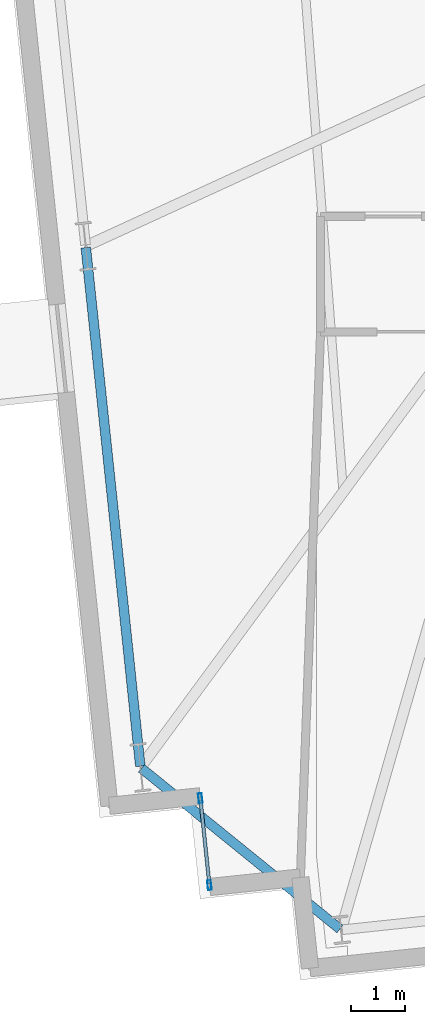
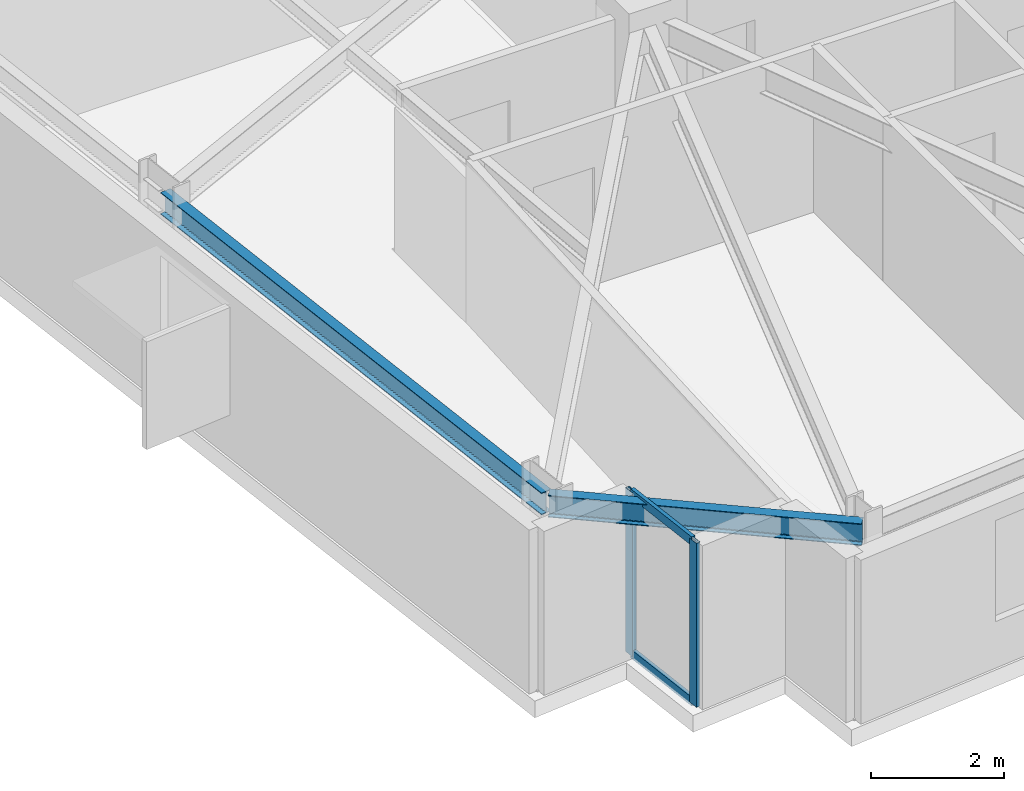
# One storey, part 4 of 19: 4 members, 2 beams, 1 element without a shape of its own.
"""IFC4 building model written with IfcOpenShell, lengths in metres."""

from ifc_helpers import new_model, si_unit, direction, frame, origin, origin_2d, place, context, subcontext, project, spatial, hollow_rectangle, i_section, extrude, material, layer, layer_set, material_profile, profile_set, type_object, element, aggregate, save


model = new_model("IFC4")

# Units and contexts
model_context = context("Model", 3, precision=1e-05, world=origin(), true_north=direction((0.0, 1.0)))
body_context = subcontext(model_context, "Body", "Model", "MODEL_VIEW")
ifc_project = project(units=[si_unit("LENGTHUNIT", "METRE"), si_unit("AREAUNIT", "SQUARE_METRE"), si_unit("VOLUMEUNIT", "CUBIC_METRE"), si_unit("PLANEANGLEUNIT", "RADIAN"), si_unit("MASSUNIT", "GRAM", prefix="KILO")], contexts=[model_context])

# Site, building, storey
site_placement = place(None, origin())
site = spatial("IfcSite", under=ifc_project, at=site_placement, CompositionType="ELEMENT")
building_placement = place(site_placement, origin())
building = spatial("IfcBuilding", under=site, at=building_placement, Name="Qobustan Lattice House", CompositionType="ELEMENT")
storey_placement = place(building_placement, frame((0.0, 0.0, 122.550048828125)))
storey = spatial("IfcBuildingStorey", under=building, at=storey_placement, Name="L34", CompositionType="ELEMENT", Elevation=122.550048828125)

# Beams
ifc_material_1 = material(Name="Steel S355", Category="steel")
ifc_material_profile_1 = material_profile(ifc_material_1, i_section(OverallWidth=0.179931640625, OverallDepth=0.39990234375, WebThickness=0.008544921875, FlangeThickness=0.013427734375, FilletRadius=0.02099609375, at=origin_2d()), Name="IPE400")
ifc_profile_set_1 = profile_set([ifc_material_profile_1], Name="Steel S355")
beam_type = type_object("IfcBeamType", Name="BM-SPD-IPE400", PredefinedType="SPANDREL", material=ifc_profile_set_1)
beam_1_placement = place(storey_placement, frame((-27.37451171875, -6.180908203125, 2.800048828125), z_axis=(0.104527826257, -0.994521962321, 0.0), x_axis=(0.994521962321, 0.104527826257, 0.0)))
element("IfcBeam", 1, at=beam_1_placement, inside=storey, type_object=beam_type, Name="L34 perimeter spandrel W3-W4", PredefinedType="SPANDREL", context=body_context, shape_type="SweptSolid", body=[
    extrude(i_section(OverallWidth=0.179931640625, OverallDepth=0.39990234375, WebThickness=0.008544921875, FlangeThickness=0.013427734375, FilletRadius=0.02099609375, at=origin_2d()), origin(), (0.0, 0.0, 1.0), 9.71630859375),
])
beam_2_placement = place(storey_placement, frame((-26.3369140625, -15.884765625, 2.800048828125), z_axis=(0.777140911545, -0.629326627121, 0.0), x_axis=(0.629326627121, 0.777140911545, 0.0)))
element("IfcBeam", 2, at=beam_2_placement, inside=storey, type_object=beam_type, Name="L34 perimeter spandrel W4-S1", PredefinedType="SPANDREL", context=body_context, shape_type="SweptSolid", body=[
    extrude(i_section(OverallWidth=0.179931640625, OverallDepth=0.39990234375, WebThickness=0.008544921875, FlangeThickness=0.013427734375, FilletRadius=0.02099609375, at=origin_2d()), origin(), (0.0, 0.0, 1.0), 4.758544921875),
])

# Curtain wall, members
ifc_material_2 = material(Name="Anodised aluminium and low-E glazing", Category="aluminium")
ifc_layer = layer(ifc_material_2, 0.219970703125)
ifc_layer_set = layer_set([ifc_layer], Name="Anodised aluminium and low-E glazing")
curtain_wall_type = type_object("IfcCurtainWallType", Name="CW-FAC-01", PredefinedType="USERDEFINED", material=ifc_layer_set)
curtain_wall_placement = place(storey_placement, origin())
curtain_wall = element("IfcCurtainWall", 3, at=curtain_wall_placement, inside=storey, type_object=curtain_wall_type, Name="L34 serrated corner faceted glazing 3", ObjectType="CURTAIN WALL", PredefinedType="USERDEFINED")
ifc_material_3 = material(Name="Anodised aluminium EN AW-6063 T6", Category="aluminium")
ifc_material_profile_2 = material_profile(ifc_material_3, hollow_rectangle(XDim=0.070068359375, YDim=0.179931640625, WallThickness=0.00439453125, at=origin_2d()), Name="CWM-180x70")
ifc_profile_set_2 = profile_set([ifc_material_profile_2], Name="Anodised aluminium EN AW-6063 T6")
member_type_1 = type_object("IfcMemberType", Name="CWM-STD-180", PredefinedType="MULLION", material=ifc_profile_set_2)
member_1_placement = place(storey_placement, frame((-25.070068359375, -18.0615234375, 0.0), z_axis=(0.0, 0.0, 1.0), x_axis=(-0.994521878892, -0.104528620025, 0.0)))
member_1 = element("IfcMember", 4, at=member_1_placement, type_object=member_type_1, Name="CW-F1 mullion 1", PredefinedType="MULLION", context=body_context, shape_type="SweptSolid", body=[
    extrude(hollow_rectangle(XDim=0.070068359375, YDim=0.179931640625, WallThickness=0.00439453125, at=origin_2d()), origin(), (0.0, 0.0, 1.0), 3.0),
])
member_2_placement = place(storey_placement, frame((-25.240234375, -16.4404296875, 0.0), z_axis=(0.0, 0.0, 1.0), x_axis=(-0.994521878892, -0.104528620025, 0.0)))
member_2 = element("IfcMember", 5, at=member_2_placement, type_object=member_type_1, Name="CW-F1 mullion 2", PredefinedType="MULLION", context=body_context, shape_type="SweptSolid", body=[
    extrude(hollow_rectangle(XDim=0.070068359375, YDim=0.179931640625, WallThickness=0.00439453125, at=origin_2d()), origin(), (0.0, 0.0, 1.0), 3.0),
])
ifc_material_4 = material(Name="Anodised aluminium EN AW-6063 T6", Category="aluminium")
ifc_material_profile_3 = material_profile(ifc_material_4, hollow_rectangle(XDim=0.06494140625, YDim=0.159912109375, WallThickness=0.00390625, at=origin_2d()), Name="CWT-160x65")
ifc_profile_set_3 = profile_set([ifc_material_profile_3], Name="Anodised aluminium EN AW-6063 T6")
member_type_2 = type_object("IfcMemberType", Name="CWT-HOR-160", PredefinedType="USERDEFINED", material=ifc_profile_set_3)
member_3_placement = place(storey_placement, frame((-25.07373046875, -18.02685546875, 0.032470703125), z_axis=(-0.104383362594, 0.994537135362, 0.0), x_axis=(-0.994537135362, -0.104383362594, 0.0)))
member_3 = element("IfcMember", 6, at=member_3_placement, type_object=member_type_2, Name="CW-F1 transom 1.1", ObjectType="TRANSOM", PredefinedType="USERDEFINED", context=body_context, shape_type="SweptSolid", body=[
    extrude(hollow_rectangle(XDim=0.06494140625, YDim=0.159912109375, WallThickness=0.00390625, at=origin_2d()), origin(), (0.0, 0.0, 1.0), 1.56005859375),
])
member_4_placement = place(storey_placement, frame((-25.07373046875, -18.02685546875, 2.967529296875), z_axis=(-0.104383362594, 0.994537135362, 0.0), x_axis=(-0.994537135362, -0.104383362594, 0.0)))
member_4 = element("IfcMember", 7, at=member_4_placement, type_object=member_type_2, Name="CW-F1 transom 1.2", ObjectType="TRANSOM", PredefinedType="USERDEFINED", context=body_context, shape_type="SweptSolid", body=[
    extrude(hollow_rectangle(XDim=0.06494140625, YDim=0.159912109375, WallThickness=0.00390625, at=origin_2d()), origin(), (0.0, 0.0, 1.0), 1.56005859375),
])
aggregate(curtain_wall, [member_1, member_2, member_3, member_4])

save(model, "model.ifc")
